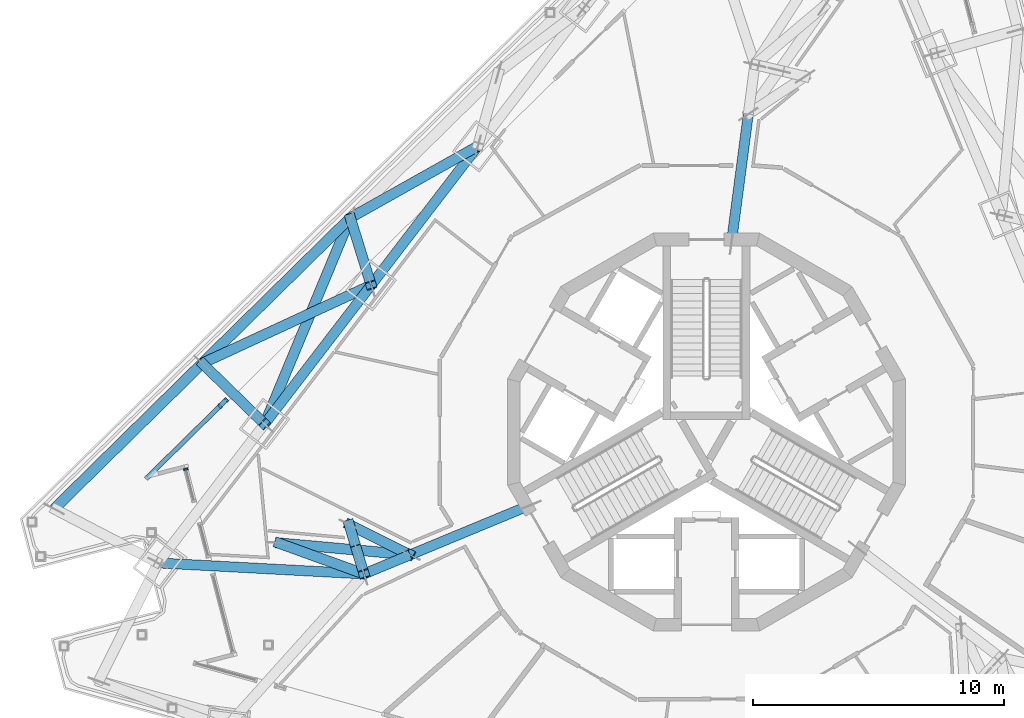
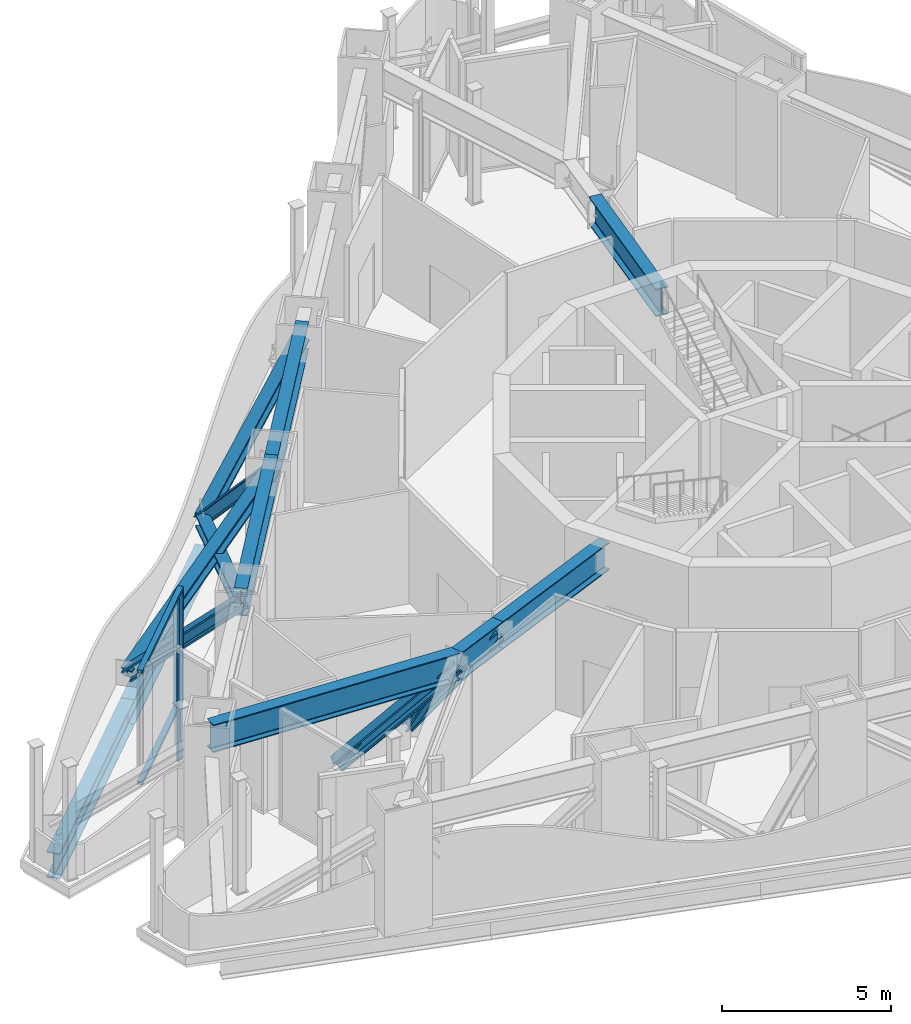
# One storey, part 2 of 22: 19 members, 4 beams, 2 elements without a shape of their own.
"""IFC4 building model written with IfcOpenShell, lengths in metres."""

from ifc_helpers import new_model, si_unit, direction, frame, origin, origin_2d, place, context, subcontext, project, spatial, rectangle, i_section, extrude, material, layer, layer_set, material_profile, profile_set, type_object, element, aggregate, save


model = new_model("IFC4")

# Units and contexts
model_context = context("Model", 3, precision=1e-05, world=origin(), true_north=direction((0.0, 1.0)))
body_context = subcontext(model_context, "Body", "Model", "MODEL_VIEW")
ifc_project = project(units=[si_unit("LENGTHUNIT", "METRE"), si_unit("AREAUNIT", "SQUARE_METRE"), si_unit("VOLUMEUNIT", "CUBIC_METRE"), si_unit("PLANEANGLEUNIT", "RADIAN"), si_unit("MASSUNIT", "GRAM", prefix="KILO")], contexts=[model_context])

# Site, building, storey
site_placement = place(None, origin())
site = spatial("IfcSite", under=ifc_project, at=site_placement, CompositionType="ELEMENT")
building_placement = place(site_placement, origin())
building = spatial("IfcBuilding", under=site, at=building_placement, Name="Trine Commons Tower", CompositionType="ELEMENT")
storey_placement = place(building_placement, frame((0.0, 0.0, 267.300048828125)))
storey = spatial("IfcBuildingStorey", under=building, at=storey_placement, Name="L70", CompositionType="ELEMENT", Elevation=267.300048828125)

# Curtain wall, members
ifc_material_1 = material(Name="Sky lounge glazing: anodised aluminium frame with low-emissivity double glazed unit, solar control", Category="aluminium")
ifc_layer = layer(ifc_material_1, 0.179931640625)
ifc_layer_set = layer_set([ifc_layer], Name="Sky lounge glazing: anodised aluminium frame with low-emissivity double glazed unit, solar control")
curtain_wall_type = type_object("IfcCurtainWallType", Name="Sky lounge glazing curtain wall CW5", PredefinedType="NOTDEFINED", material=ifc_layer_set)
curtain_wall_1_placement = place(storey_placement, origin())
curtain_wall_1 = element("IfcCurtainWall", 1, at=curtain_wall_1_placement, inside=storey, type_object=curtain_wall_type, Name="Sky lounge glazing L70 F1.1", PredefinedType="NOTDEFINED")
ifc_material_2 = material(Name="Anodised aluminium, bronze finish", Category="aluminium")
ifc_material_profile_1 = material_profile(ifc_material_2, rectangle(XDim=0.179931640625, YDim=0.074951171875, at=origin_2d()), Name="Mullion 75x180")
ifc_profile_set_1 = profile_set([ifc_material_profile_1], Name="Anodised aluminium, bronze finish")
member_type_1 = type_object("IfcMemberType", Name="Mullion 75x180, Anodised aluminium, bronze finish", PredefinedType="MULLION", material=ifc_profile_set_1)
member_1_placement = place(storey_placement, frame((60.620849609375, 63.530029296875, 0.10986328125), z_axis=(0.0, 0.0, 1.0), x_axis=(-0.7009092643, 0.713250449154, 0.0)))
member_1 = element("IfcMember", 2, at=member_1_placement, type_object=member_type_1, Name="CW5 mullion 2.1", PredefinedType="MULLION", context=body_context, shape_type="SweptSolid", body=[
    extrude(rectangle(XDim=0.179931640625, YDim=0.074951171875, at=origin_2d()), origin(), (0.0, 0.0, 1.0), 3.93017578125),
])
member_2_placement = place(storey_placement, frame((60.882568359375, 63.787109375, 0.10986328125), z_axis=(0.0, 0.0, 1.0), x_axis=(-0.7009092643, 0.713250449154, 0.0)))
member_2 = element("IfcMember", 3, at=member_2_placement, type_object=member_type_1, Name="CW5 mullion 3.1", PredefinedType="MULLION", context=body_context, shape_type="SweptSolid", body=[
    extrude(rectangle(XDim=0.179931640625, YDim=0.074951171875, at=origin_2d()), origin(), (0.0, 0.0, 1.0), 3.93017578125),
])

# Curtain wall, member
curtain_wall_2_placement = place(storey_placement, origin())
curtain_wall_2 = element("IfcCurtainWall", 4, at=curtain_wall_2_placement, inside=storey, type_object=curtain_wall_type, Name="Sky lounge glazing L70 P3.3", PredefinedType="NOTDEFINED")
member_3_placement = place(storey_placement, frame((59.263916015625, 61.0234375, 0.10986328125), z_axis=(0.0, 0.0, 1.0), x_axis=(-0.968147640378, -0.250380004054, 0.0)))
member_3 = element("IfcMember", 5, at=member_3_placement, type_object=member_type_1, Name="CW5 mullion 2.1", PredefinedType="MULLION", context=body_context, shape_type="SweptSolid", body=[
    extrude(rectangle(XDim=0.179931640625, YDim=0.074951171875, at=origin_2d()), origin(), (0.0, 0.0, 1.0), 3.93017578125),
])
aggregate(curtain_wall_2, [member_3])

# Beams
ifc_material_3 = material(Name="Structural steel ASTM A992 Gr50", Category="steel")
ifc_material_profile_2 = material_profile(ifc_material_3, i_section(OverallWidth=0.39990234375, OverallDepth=1.0, WebThickness=0.01904296875, FlangeThickness=0.0361328125, FilletRadius=0.02978515625, at=origin_2d()), Name="W40X249")
ifc_profile_set_2 = profile_set([ifc_material_profile_2], Name="Structural steel ASTM A992 Gr50")
beam_type = type_object("IfcBeamType", Name="Steel beam W40X249, ASTM A992 Gr50", PredefinedType="BEAM", material=ifc_profile_set_2)
beam_1_placement = place(storey_placement, frame((58.156494140625, 57.288818359375, 3.64990234375), z_axis=(0.998578317451, -0.05330425796, 0.0), x_axis=(0.05330425796, 0.998578317451, 0.0)))
element("IfcBeam", 6, at=beam_1_placement, inside=storey, type_object=beam_type, Name="Transfer truss girder T7-UV-02", PredefinedType="BEAM", context=body_context, shape_type="SweptSolid", body=[
    extrude(i_section(OverallWidth=0.39990234375, OverallDepth=1.0, WebThickness=0.01904296875, FlangeThickness=0.0361328125, FilletRadius=0.02978515625, at=origin_2d()), origin(), (0.0, 0.0, 1.0), 8.216796875),
])
for number, where, z_axis, x_axis, name in (
    (7, (80.990478515625, 70.02392578125, 3.64990234375), (0.130557959622, 0.991440678598, 0.0), (-0.991440678598, 0.130557959622, 0.0), "Transfer truss girder T7-UR-03"),
    (8, (72.98876953125, 59.595703125, 3.64990234375), (-0.923894697605, -0.382646818538, 0.0), (0.382646818538, -0.923894697605, 0.0), "Transfer truss girder T7-UR-05"),
):
    element("IfcBeam", number, at=place(storey_placement, frame(where, z_axis=z_axis, x_axis=x_axis)), inside=storey, type_object=beam_type, Name=name, PredefinedType="BEAM", context=body_context, shape_type="SweptSolid", body=[
        extrude(i_section(OverallWidth=0.39990234375, OverallDepth=1.0, WebThickness=0.01904296875, FlangeThickness=0.0361328125, FilletRadius=0.02978515625, at=origin_2d()), origin(), (0.0, 0.0, 1.0), 5.189208984375),
    ])
beam_2_placement = place(storey_placement, frame((68.194580078125, 57.610107421875, 3.64990234375), z_axis=(-0.923875853046, -0.38269231526, 0.0), x_axis=(0.38269231526, -0.923875853046, 0.0)))
element("IfcBeam", 9, at=beam_2_placement, inside=storey, type_object=beam_type, Name="Transfer truss girder T7-UR-06", PredefinedType="BEAM", context=body_context, shape_type="SweptSolid", body=[
    extrude(i_section(OverallWidth=0.39990234375, OverallDepth=1.0, WebThickness=0.01904296875, FlangeThickness=0.0361328125, FilletRadius=0.02978515625, at=origin_2d()), origin(), (0.0, 0.0, 1.0), 1.984130859375),
])

# Members
ifc_material_profile_3 = material_profile(ifc_material_3, i_section(OverallWidth=0.40966796875, OverallDepth=0.42529296875, WebThickness=0.03271484375, FlangeThickness=0.052490234375, FilletRadius=0.01513671875, at=origin_2d()), Name="W14X283")
ifc_profile_set_3 = profile_set([ifc_material_profile_3], Name="Structural steel ASTM A992 Gr50")
member_type_2 = type_object("IfcMemberType", Name="Steel brace W14X283, ASTM A992 Gr50", PredefinedType="BRACE", material=ifc_profile_set_3)
member_4_placement = place(storey_placement, frame((59.91943359375, 65.23828125, 0.463623046875), z_axis=(0.527262891261, -0.513622310856, 0.676894353123), x_axis=(0.697780382134, 0.716311760555, 0.0)))
element("IfcMember", 10, at=member_4_placement, inside=storey, type_object=member_type_2, Name="Transfer truss brace T7-DG-15", PredefinedType="BRACE", context=body_context, shape_type="SweptSolid", body=[
    extrude(i_section(OverallWidth=0.40966796875, OverallDepth=0.42529296875, WebThickness=0.03271484375, FlangeThickness=0.052490234375, FilletRadius=0.01513671875, at=origin_2d()), origin(), (0.0, 0.0, 1.0), 4.707275390625),
])
member_5_placement = place(storey_placement, frame((65.817138671875, 71.033935546875, 0.463623046875), z_axis=(-0.361503929472, -0.869252747858, 0.337215909051), x_axis=(0.923334933858, -0.383995572784, 0.0)))
element("IfcMember", 11, at=member_5_placement, inside=storey, type_object=member_type_2, Name="Transfer truss brace T7-DG-16", PredefinedType="BRACE", context=body_context, shape_type="SweptSolid", body=[
    extrude(i_section(OverallWidth=0.40966796875, OverallDepth=0.42529296875, WebThickness=0.03271484375, FlangeThickness=0.052490234375, FilletRadius=0.01513671875, at=origin_2d()), origin(), (0.0, 0.0, 1.0), 9.44873046875),
])
member_6_placement = place(storey_placement, frame((65.817138671875, 71.033935546875, 0.463623046875), z_axis=(0.195197845719, -0.63153258833, 0.750376166269), x_axis=(0.955403979553, 0.295301940148, 0.0)))
element("IfcMember", 12, at=member_6_placement, inside=storey, type_object=member_type_2, Name="Transfer truss brace T7-DG-17", PredefinedType="BRACE", context=body_context, shape_type="SweptSolid", body=[
    extrude(i_section(OverallWidth=0.40966796875, OverallDepth=0.42529296875, WebThickness=0.03271484375, FlangeThickness=0.052490234375, FilletRadius=0.01513671875, at=origin_2d()), origin(), (0.0, 0.0, 1.0), 4.246337890625),
])
member_7_placement = place(storey_placement, frame((59.91943359375, 65.23828125, 0.463623046875), z_axis=(0.833711317129, 0.385960650769, 0.39491747967), x_axis=(-0.420108499551, 0.907473883153, 0.0)))
element("IfcMember", 13, at=member_7_placement, inside=storey, type_object=member_type_2, Name="Transfer truss brace T7-DG-18", PredefinedType="BRACE", context=body_context, shape_type="SweptSolid", body=[
    extrude(i_section(OverallWidth=0.40966796875, OverallDepth=0.42529296875, WebThickness=0.03271484375, FlangeThickness=0.052490234375, FilletRadius=0.01513671875, at=origin_2d()), origin(), (0.0, 0.0, 1.0), 8.068115234375),
])
member_8_placement = place(storey_placement, frame((65.817138671875, 71.033935546875, 0.463623046875), z_axis=(0.764723646184, 0.429609689597, 0.480242917253), x_axis=(-0.489787124363, 0.87184205726, 0.0)))
element("IfcMember", 14, at=member_8_placement, inside=storey, type_object=member_type_2, Name="Transfer truss brace T7-DG-20", PredefinedType="BRACE", context=body_context, shape_type="SweptSolid", body=[
    extrude(i_section(OverallWidth=0.40966796875, OverallDepth=0.42529296875, WebThickness=0.03271484375, FlangeThickness=0.052490234375, FilletRadius=0.01513671875, at=origin_2d()), origin(), (0.0, 0.0, 1.0), 6.634765625),
])
member_9_placement = place(storey_placement, frame((65.77099609375, 58.820068359375, 0.463623046875), z_axis=(0.579510653252, -0.289317497483, 0.761881085483), x_axis=(0.446672747725, 0.894697410547, 0.0)))
element("IfcMember", 15, at=member_9_placement, inside=storey, type_object=member_type_2, Name="Transfer truss brace T7-DG-45", PredefinedType="BRACE", context=body_context, shape_type="SweptSolid", body=[
    extrude(i_section(OverallWidth=0.40966796875, OverallDepth=0.42529296875, WebThickness=0.03271484375, FlangeThickness=0.052490234375, FilletRadius=0.01513671875, at=origin_2d()), origin(), (0.0, 0.0, 1.0), 4.18212890625),
])
member_10_placement = place(storey_placement, frame((62.9375, 58.08740234375, 0.463623046875), z_axis=(0.852619439787, -0.077410068489, 0.516766651589), x_axis=(0.090418982825, 0.995903814404, 0.0)))
element("IfcMember", 16, at=member_10_placement, inside=storey, type_object=member_type_2, Name="Transfer truss brace T7-DG-46", PredefinedType="BRACE", context=body_context, shape_type="SweptSolid", body=[
    extrude(i_section(OverallWidth=0.40966796875, OverallDepth=0.42529296875, WebThickness=0.03271484375, FlangeThickness=0.052490234375, FilletRadius=0.01513671875, at=origin_2d()), origin(), (0.0, 0.0, 1.0), 6.165771484375),
])
member_11_placement = place(storey_placement, frame((65.77099609375, 58.820068359375, 0.463623046875), z_axis=(0.139043845603, -0.467366732639, 0.873060791825), x_axis=(0.958482012245, 0.285152997885, 0.0)))
element("IfcMember", 17, at=member_11_placement, inside=storey, type_object=member_type_2, Name="Transfer truss brace T7-DG-47a", PredefinedType="BRACE", context=body_context, shape_type="SweptSolid", body=[
    extrude(i_section(OverallWidth=0.40966796875, OverallDepth=0.42529296875, WebThickness=0.03271484375, FlangeThickness=0.052490234375, FilletRadius=0.01513671875, at=origin_2d()), origin(), (0.0, 0.0, 1.0), 2.17724609375),
])
member_12_placement = place(storey_placement, frame((66.07373046875, 57.802490234375, 2.364501953125), z_axis=(0.177128747646, -0.58562159315, 0.790994789106), x_axis=(0.957175036646, 0.289509843049, 0.0)))
element("IfcMember", 18, at=member_12_placement, inside=storey, type_object=member_type_2, Name="Transfer truss brace T7-DG-47b", PredefinedType="BRACE", context=body_context, shape_type="SweptSolid", body=[
    extrude(i_section(OverallWidth=0.40966796875, OverallDepth=0.42529296875, WebThickness=0.03271484375, FlangeThickness=0.052490234375, FilletRadius=0.01513671875, at=origin_2d()), origin(), (0.0, 0.0, 1.0), 1.625),
])
member_13_placement = place(storey_placement, frame((62.9375, 58.08740234375, 0.463623046875), z_axis=(0.707752757996, -0.255598411355, 0.658601158261), x_axis=(0.33966918277, 0.940544973022, 0.0)))
element("IfcMember", 19, at=member_13_placement, inside=storey, type_object=member_type_2, Name="Transfer truss brace T7-DG-48", PredefinedType="BRACE", context=body_context, shape_type="SweptSolid", body=[
    extrude(i_section(OverallWidth=0.40966796875, OverallDepth=0.42529296875, WebThickness=0.03271484375, FlangeThickness=0.052490234375, FilletRadius=0.01513671875, at=origin_2d()), origin(), (0.0, 0.0, 1.0), 4.837890625),
])
ifc_material_profile_4 = material_profile(ifc_material_3, i_section(OverallWidth=0.419189453125, OverallDepth=0.927001953125, WebThickness=0.019287109375, FlangeThickness=0.031982421875, FilletRadius=0.024169921875, at=origin_2d()), Name="W36X231")
ifc_profile_set_4 = profile_set([ifc_material_profile_4], Name="Structural steel ASTM A992 Gr50")
member_type_3 = type_object("IfcMemberType", Name="Steel chord W36X231, ASTM A992 Gr50", PredefinedType="CHORD", material=ifc_profile_set_4)
member_14_placement = place(storey_placement, frame((54.02197265625, 59.442626953125, -0.91357421875), z_axis=(0.713236206055, 0.700923757888, 0.0), x_axis=(-0.700923757888, 0.713236206055, 0.0)))
element("IfcMember", 20, at=member_14_placement, inside=storey, type_object=member_type_3, Name="Transfer truss chord T7-LC-06", PredefinedType="CHORD", context=body_context, shape_type="SweptSolid", body=[
    extrude(i_section(OverallWidth=0.419189453125, OverallDepth=0.927001953125, WebThickness=0.019287109375, FlangeThickness=0.031982421875, FilletRadius=0.024169921875, at=origin_2d()), origin(), (0.0, 0.0, 1.0), 8.2685546875),
])
member_15_placement = place(storey_placement, frame((59.91943359375, 65.23828125, -0.91357421875), z_axis=(0.713250711672, 0.70090899716, 0.0), x_axis=(-0.70090899716, 0.713250711672, 0.0)))
element("IfcMember", 21, at=member_15_placement, inside=storey, type_object=member_type_3, Name="Transfer truss chord T7-LC-07", PredefinedType="CHORD", context=body_context, shape_type="SweptSolid", body=[
    extrude(i_section(OverallWidth=0.419189453125, OverallDepth=0.927001953125, WebThickness=0.019287109375, FlangeThickness=0.031982421875, FilletRadius=0.024169921875, at=origin_2d()), origin(), (0.0, 0.0, 1.0), 8.268798828125),
])
ifc_material_profile_5 = material_profile(ifc_material_3, i_section(OverallWidth=0.39990234375, OverallDepth=1.0, WebThickness=0.01904296875, FlangeThickness=0.0361328125, FilletRadius=0.02978515625, at=origin_2d()), Name="W40X249")
ifc_profile_set_5 = profile_set([ifc_material_profile_5], Name="Structural steel ASTM A992 Gr50")
member_type_4 = type_object("IfcMemberType", Name="Steel chord W40X249, ASTM A992 Gr50", PredefinedType="CHORD", material=ifc_profile_set_5)
member_16_placement = place(storey_placement, frame((62.4013671875, 62.820556640625, 3.64990234375), z_axis=(0.608759337707, 0.793354944999, 0.0), x_axis=(-0.793354944999, 0.608759337707, 0.0)))
element("IfcMember", 22, at=member_16_placement, inside=storey, type_object=member_type_4, Name="Transfer truss chord T7-UC-07", PredefinedType="CHORD", context=body_context, shape_type="SweptSolid", body=[
    extrude(i_section(OverallWidth=0.39990234375, OverallDepth=1.0, WebThickness=0.01904296875, FlangeThickness=0.0361328125, FilletRadius=0.02978515625, at=origin_2d()), origin(), (0.0, 0.0, 1.0), 6.97265625),
])
member_17_placement = place(storey_placement, frame((66.64599609375, 68.352294921875, 3.64990234375), z_axis=(0.608764465287, 0.793351010464, 0.0), x_axis=(-0.793351010464, 0.608764465287, 0.0)))
element("IfcMember", 23, at=member_17_placement, inside=storey, type_object=member_type_4, Name="Transfer truss chord T7-UC-08", PredefinedType="CHORD", context=body_context, shape_type="SweptSolid", body=[
    extrude(i_section(OverallWidth=0.39990234375, OverallDepth=1.0, WebThickness=0.01904296875, FlangeThickness=0.0361328125, FilletRadius=0.02978515625, at=origin_2d()), origin(), (0.0, 0.0, 1.0), 6.972900390625),
])

# Member
ifc_material_profile_6 = material_profile(ifc_material_2, rectangle(XDim=0.179931640625, YDim=0.110107421875, at=origin_2d()), Name="Transom 110x180")
ifc_profile_set_6 = profile_set([ifc_material_profile_6], Name="Anodised aluminium, bronze finish")
member_type_5 = type_object("IfcMemberType", Name="Transom 110x180, Anodised aluminium, bronze finish", PredefinedType="USERDEFINED", material=ifc_profile_set_6)
member_18_placement = place(storey_placement, frame((57.68505859375, 60.64501953125, 0.054931640625), z_axis=(0.713236950471, 0.700923000395, 0.0), x_axis=(-0.700923000395, 0.713236950471, 0.0)))
member_18 = element("IfcMember", 24, at=member_18_placement, type_object=member_type_5, Name="CW5 transom T00", ObjectType="TRANSOM", PredefinedType="USERDEFINED", context=body_context, shape_type="SweptSolid", body=[
    extrude(rectangle(XDim=0.179931640625, YDim=0.110107421875, at=origin_2d()), origin(), (0.0, 0.0, 1.0), 4.5205078125),
])

member_19_placement = place(storey_placement, frame((57.68505859375, 60.64501953125, 4.094970703125), z_axis=(0.713236950471, 0.700923000395, 0.0), x_axis=(-0.700923000395, 0.713236950471, 0.0)))
member_19 = element("IfcMember", 25, at=member_19_placement, type_object=member_type_5, Name="CW5 transom TH00", ObjectType="TRANSOM", PredefinedType="USERDEFINED", context=body_context, shape_type="SweptSolid", body=[
    extrude(rectangle(XDim=0.179931640625, YDim=0.110107421875, at=origin_2d()), origin(), (0.0, 0.0, 1.0), 4.5205078125),
])

aggregate(curtain_wall_1, [member_18, member_19, member_1, member_2])

save(model, "model.ifc")
